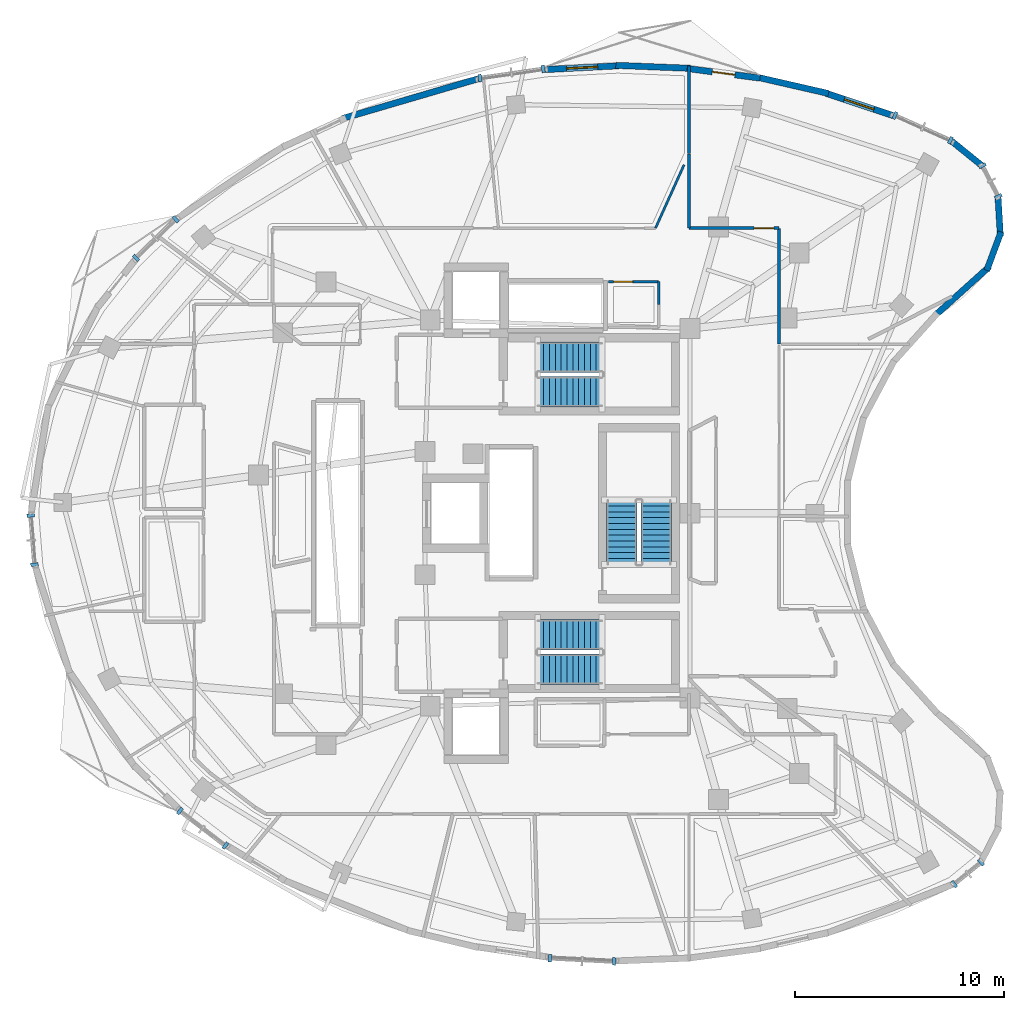
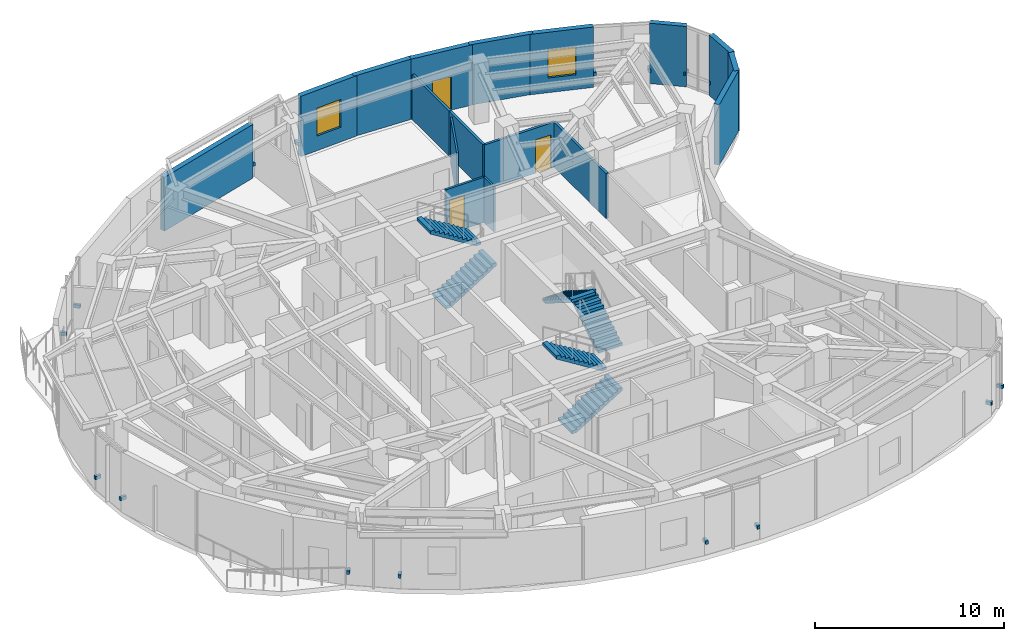
# One storey, part 11 of 14: 17 walls, 16 discrete accessories, 6 stair flights, 3 doors, 2 windows, 5 openings, 3 elements without a shape of their own.
"""IFC4 building model written with IfcOpenShell, lengths in metres."""

from ifc_helpers import new_model, si_unit, direction, frame, frame_2d, origin, origin_2d, place, context, subcontext, project, spatial, polyline, rectangle, outline, extrude, material, layer, layer_set, type_object, element, fill, aggregate, save


model = new_model("IFC4")

# Units and contexts
model_context = context("Model", 3, precision=1e-05, world=origin(), true_north=direction((0.0, 1.0)))
body_context = subcontext(model_context, "Body", "Model", "MODEL_VIEW")
ifc_project = project(units=[si_unit("LENGTHUNIT", "METRE"), si_unit("AREAUNIT", "SQUARE_METRE"), si_unit("VOLUMEUNIT", "CUBIC_METRE"), si_unit("PLANEANGLEUNIT", "RADIAN"), si_unit("MASSUNIT", "GRAM", prefix="KILO")], contexts=[model_context])

# Site, building, storey
site_placement = place(None, origin())
site = spatial("IfcSite", under=ifc_project, at=site_placement, CompositionType="ELEMENT")
building_placement = place(site_placement, origin())
building = spatial("IfcBuilding", under=site, at=building_placement, Name="Korentha Bioscience Tower", CompositionType="ELEMENT")
storey_placement = place(building_placement, frame((0.0, 0.0, 252.0)))
storey = spatial("IfcBuildingStorey", under=building, at=storey_placement, Name="L58", CompositionType="ELEMENT", Elevation=252.0)

# Wall, opening, door
ifc_material_1 = material(Name="Double-Stud Acoustic Gypsum", Category="gypsum")
ifc_layer_1 = layer(ifc_material_1, 0.14990234375, Name="Double-Stud Acoustic Gypsum")
ifc_layer_set_1 = layer_set([ifc_layer_1], Name="Double-Stud Acoustic Gypsum (IW-L150)")
wall_type_1 = type_object("IfcWallType", Name="Acoustic Laboratory Partition Wall 150", PredefinedType="PARTITIONING", material=ifc_layer_set_1)
wall_1_placement = place(storey_placement, frame((41.800048828125, 40.659912109375, 0.0), z_axis=(0.0, 0.0, 1.0), x_axis=(-1.0, 0.0, 0.0)))
wall_1 = element("IfcWall", 1, at=wall_1_placement, inside=storey, type_object=wall_type_1, Name="L58 Senior Scientist Corner Office 16 Entrance Wall", PredefinedType="PARTITIONING", context=body_context, shape_type="SweptSolid", body=[
    extrude(rectangle(XDim=4.298095703125, YDim=0.14990234375, at=frame_2d((2.14892578125, 0.0))), origin(), (0.0, 0.0, 1.0), 2.909912109375),
])
opening_1_placement = place(wall_1_placement, frame((0.239990234375, 0.0, 0.0)))
opening_1 = element("IfcOpeningElement", 2, at=opening_1_placement, cuts=wall_1, Name="Opening ID-10R", PredefinedType="OPENING", context=body_context, shape_type="SweptSolid", body=[
    extrude(rectangle(XDim=0.949951171875, YDim=2.14990234375, at=frame_2d((0.47509765625, 1.074951171875))), frame((0.0, 0.08984375, 0.0), z_axis=(0.0, -1.0, 0.0), x_axis=(1.0, 0.0, 0.0)), (0.0, 0.0, 1.0), 0.1796875),
])
ifc_material_2 = material(Name="Phenolic Laminate Timber Core", Category="wood")
door_type_1 = type_object("IfcDoorType", Name="Laboratory Single Leaf Door 950x2150 Right", OperationType="SINGLE_SWING_RIGHT", PredefinedType="DOOR", material=ifc_material_2)
door_1_placement = place(opening_1_placement, origin())
door_1 = element("IfcDoor", 3, at=door_1_placement, inside=storey, type_object=door_type_1, Name="L58 Senior Scientist Corner Office 16 Door", OperationType="SINGLE_SWING_RIGHT", OverallHeight=2.14990234375, OverallWidth=0.949951171875, PredefinedType="DOOR", context=body_context, shape_type="SweptSolid", body=[
    extrude(rectangle(XDim=0.949951171875, YDim=2.14990234375, at=frame_2d((0.47509765625, 1.074951171875))), frame((0.0, 0.02490234375, 0.0), z_axis=(0.0, -1.0, 0.0), x_axis=(1.0, 0.0, 0.0)), (0.0, 0.0, 1.0), 0.050048828125),
])
fill(opening_1, door_1)

# Walls
wall_2_placement = place(storey_placement, frame((37.501953125, 44.22900390625, 0.0), z_axis=(0.0, 0.0, 1.0), x_axis=(0.0, 1.0, 0.0)))
element("IfcWall", 4, at=wall_2_placement, inside=storey, type_object=wall_type_1, Name="L58 Interior Partition 087", PredefinedType="PARTITIONING", context=body_context, shape_type="SweptSolid", body=[
    extrude(rectangle(XDim=4.204345703125, YDim=0.14990234375, at=frame_2d((2.10205078125, 0.0))), origin(), (0.0, 0.0, 1.0), 2.909912109375),
])
wall_3_placement = place(storey_placement, frame((41.81005859375, 35.10205078125, 0.0), z_axis=(0.0, 0.0, 1.0), x_axis=(0.0, 1.0, 0.0)))
element("IfcWall", 5, at=wall_3_placement, inside=storey, type_object=wall_type_1, Name="L58 Interior Partition 089", PredefinedType="PARTITIONING", context=body_context, shape_type="SweptSolid", body=[
    extrude(rectangle(XDim=5.5478515625, YDim=0.14990234375, at=frame_2d((2.77392578125, 0.0))), origin(), (0.0, 0.0, 1.0), 2.909912109375),
])
wall_4_placement = place(storey_placement, frame((37.501953125, 40.659912109375, 0.0), z_axis=(0.0, 0.0, 1.0), x_axis=(0.0, 1.0, 0.0)))
element("IfcWall", 6, at=wall_4_placement, inside=storey, type_object=wall_type_1, Name="L58 Interior Partition 090", PredefinedType="PARTITIONING", context=body_context, shape_type="SweptSolid", body=[
    extrude(rectangle(XDim=3.55908203125, YDim=0.14990234375, at=frame_2d((1.779541015625, 0.0))), origin(), (0.0, 0.0, 1.0), 2.909912109375),
])
ifc_material_3 = material(Name="Fire-Rated Framed Glass", Category="glass")
ifc_layer_2 = layer(ifc_material_3, 0.110107421875, Name="Fire-Rated Framed Glass")
ifc_layer_set_2 = layer_set([ifc_layer_2], Name="Fire-Rated Framed Glass (IW-G110)")
wall_type_2 = type_object("IfcWallType", Name="Demountable Glazed Office Partition 110", PredefinedType="MOVABLE", material=ifc_layer_set_2)
wall_5_placement = place(storey_placement, frame((37.261962890625, 43.697265625, 0.0), z_axis=(0.0, 0.0, 1.0), x_axis=(-0.411494466198, -0.91141225814, 0.0)))
element("IfcWall", 7, at=wall_5_placement, inside=storey, type_object=wall_type_2, Name="L58 Interior Partition 091", PredefinedType="MOVABLE", context=body_context, shape_type="SweptSolid", body=[
    extrude(rectangle(XDim=3.33251953125, YDim=0.110107421875, at=frame_2d((1.666259765625, 0.0))), origin(), (0.0, 0.0, 1.0), 2.909912109375),
])

# Wall, opening, window
ifc_material_4 = material(Name="Honed Limestone Precast Concrete C40", Category="masonry")
ifc_layer_3 = layer(ifc_material_4, 0.300048828125, Name="Honed Limestone Precast Concrete C40")
ifc_layer_set_3 = layer_set([ifc_layer_3], Name="Honed Limestone Precast Concrete C40 (EW-ST300)")
wall_type_3 = type_object("IfcWallType", Name="Honed Limestone Cavity Spandrel Wall 300", PredefinedType="STANDARD", material=ifc_layer_set_3)
wall_6_placement = place(storey_placement, frame((47.2705078125, 46.050537109375, 0.0), z_axis=(0.0, 0.0, 1.0), x_axis=(-0.94891855173, 0.315521127948, 0.0)))
wall_6 = element("IfcWall", 8, at=wall_6_placement, inside=storey, type_object=wall_type_3, Name="L58 Honed Limestone Spandrel Wall 02", PredefinedType="STANDARD", context=body_context, shape_type="SweptSolid", body=[
    extrude(rectangle(XDim=3.4208984375, YDim=0.300048828125, at=frame_2d((1.71044921875, 0.0))), origin(), (0.0, 0.0, 1.0), 3.89990234375),
])
opening_2_placement = place(wall_6_placement, frame((0.96044921875, 0.0, 0.949951171875)))
opening_2 = element("IfcOpeningElement", 9, at=opening_2_placement, cuts=wall_6, Name="Opening WN-02", PredefinedType="OPENING", context=body_context, shape_type="SweptSolid", body=[
    extrude(rectangle(XDim=1.5, YDim=1.800048828125, at=frame_2d((0.75, 0.89990234375))), frame((0.0, 0.1650390625, 0.0), z_axis=(0.0, -1.0, 0.0), x_axis=(1.0, 0.0, 0.0)), (0.0, 0.0, 1.0), 0.329833984375),
])
ifc_material_5 = material(Name="Thermally Broken Aluminium Triple Glazing", Category="aluminium")
window_type = type_object("IfcWindowType", Name="Acoustic Operable Office Window 1500x1800", PartitioningType="DOUBLE_PANEL_VERTICAL", PredefinedType="WINDOW", material=ifc_material_5)
window_1_placement = place(opening_2_placement, origin())
window_1 = element("IfcWindow", 10, at=window_1_placement, inside=storey, type_object=window_type, Name="L58 Facade Window 02", OverallHeight=1.800048828125, OverallWidth=1.5, PartitioningType="DOUBLE_PANEL_VERTICAL", PredefinedType="WINDOW", context=body_context, shape_type="SweptSolid", body=[
    extrude(rectangle(XDim=1.5, YDim=1.800048828125, at=frame_2d((0.75, 0.89990234375))), frame((0.0, 0.030029296875, 0.0), z_axis=(0.0, -1.0, 0.0), x_axis=(1.0, 0.0, 0.0)), (0.0, 0.0, 1.0), 0.06005859375),
])
fill(opening_2, window_1)

# Wall, opening, door
wall_7_placement = place(storey_placement, frame((40.89599609375, 47.845458984375, 0.0), z_axis=(0.0, 0.0, 1.0), x_axis=(-0.991363126073, 0.131145538481, 0.0)))
wall_7 = element("IfcWall", 11, at=wall_7_placement, inside=storey, type_object=wall_type_3, Name="L58 Balcony Threshold Wall 01", PredefinedType="STANDARD", context=body_context, shape_type="SweptSolid", body=[
    extrude(rectangle(XDim=3.518310546875, YDim=0.300048828125, at=frame_2d((1.75927734375, 0.0))), origin(), (0.0, 0.0, 1.0), 3.89990234375),
])
opening_3_placement = place(wall_7_placement, frame((1.209228515625, 0.0, 0.0)))
opening_3 = element("IfcOpeningElement", 12, at=opening_3_placement, cuts=wall_7, Name="Opening BD-11L", PredefinedType="OPENING", context=body_context, shape_type="SweptSolid", body=[
    extrude(rectangle(XDim=1.10009765625, YDim=2.14990234375, at=frame_2d((0.550048828125, 1.074951171875))), frame((0.0, 0.1650390625, 0.0), z_axis=(0.0, -1.0, 0.0), x_axis=(1.0, 0.0, 0.0)), (0.0, 0.0, 1.0), 0.329833984375),
])
ifc_material_6 = material(Name="Thermally Broken Glazed Aluminium", Category="aluminium")
door_type_2 = type_object("IfcDoorType", Name="Balcony Terrace Glazed Door 1100x2150 Left", OperationType="SINGLE_SWING_LEFT", PredefinedType="DOOR", material=ifc_material_6)
door_2_placement = place(opening_3_placement, origin())
door_2 = element("IfcDoor", 13, at=door_2_placement, inside=storey, type_object=door_type_2, Name="L58 Balcony Access Door 01", OperationType="SINGLE_SWING_LEFT", OverallHeight=2.14990234375, OverallWidth=1.10009765625, PredefinedType="DOOR", context=body_context, shape_type="SweptSolid", body=[
    extrude(rectangle(XDim=1.10009765625, YDim=2.14990234375, at=frame_2d((0.550048828125, 1.074951171875))), frame((0.0, 0.02490234375, 0.0), z_axis=(0.0, -1.0, 0.0), x_axis=(1.0, 0.0, 0.0)), (0.0, 0.0, 1.0), 0.050048828125),
])
fill(opening_3, door_2)

# Wall, opening, window
wall_8_placement = place(storey_placement, frame((34.141357421875, 48.436767578125, 0.0), z_axis=(0.0, 0.0, 1.0), x_axis=(-0.998669402185, -0.051569614505, 0.0)))
wall_8 = element("IfcWall", 14, at=wall_8_placement, inside=storey, type_object=wall_type_3, Name="L58 Honed Limestone Spandrel Wall 06", PredefinedType="STANDARD", context=body_context, shape_type="SweptSolid", body=[
    extrude(rectangle(XDim=3.536376953125, YDim=0.300048828125, at=frame_2d((1.76806640625, 0.0))), origin(), (0.0, 0.0, 1.0), 3.89990234375),
])
opening_4_placement = place(wall_8_placement, frame((1.018310546875, 0.0, 0.949951171875)))
opening_4 = element("IfcOpeningElement", 15, at=opening_4_placement, cuts=wall_8, Name="Opening WN-02", PredefinedType="OPENING", context=body_context, shape_type="SweptSolid", body=[
    extrude(rectangle(XDim=1.5, YDim=1.800048828125, at=frame_2d((0.75, 0.89990234375))), frame((0.0, 0.1650390625, 0.0), z_axis=(0.0, -1.0, 0.0), x_axis=(1.0, 0.0, 0.0)), (0.0, 0.0, 1.0), 0.329833984375),
])
window_2_placement = place(opening_4_placement, origin())
window_2 = element("IfcWindow", 16, at=window_2_placement, inside=storey, type_object=window_type, Name="L58 Facade Window 06", OverallHeight=1.800048828125, OverallWidth=1.5, PartitioningType="DOUBLE_PANEL_VERTICAL", PredefinedType="WINDOW", context=body_context, shape_type="SweptSolid", body=[
    extrude(rectangle(XDim=1.5, YDim=1.800048828125, at=frame_2d((0.75, 0.89990234375))), frame((0.0, 0.030029296875, 0.0), z_axis=(0.0, -1.0, 0.0), x_axis=(1.0, 0.0, 0.0)), (0.0, 0.0, 1.0), 0.06005859375),
])
fill(opening_4, window_2)

# Walls
wall_9_placement = place(storey_placement, frame((44.1787109375, 47.108642578125, 0.0), z_axis=(0.0, 0.0, 1.0), x_axis=(-0.974823186624, 0.222979269932, 0.0)))
element("IfcWall", 17, at=wall_9_placement, inside=storey, type_object=wall_type_3, Name="L58 Limestone Perimeter Closure Wall 03", PredefinedType="STANDARD", context=body_context, shape_type="SweptSolid", body=[
    extrude(rectangle(XDim=3.51904296875, YDim=0.300048828125, at=frame_2d((1.759521484375, 0.0))), origin(), (0.0, 0.0, 1.0), 3.89990234375),
])
wall_10_placement = place(storey_placement, frame((37.56298828125, 48.314453125, 0.0), z_axis=(0.0, 0.0, 1.0), x_axis=(-0.999208461954, 0.039780014567, 0.0)))
element("IfcWall", 18, at=wall_10_placement, inside=storey, type_object=wall_type_3, Name="L58 Limestone Perimeter Closure Wall 05", PredefinedType="STANDARD", context=body_context, shape_type="SweptSolid", body=[
    extrude(rectangle(XDim=3.578125, YDim=0.300048828125, at=frame_2d((1.7890625, 0.0))), origin(), (0.0, 0.0, 1.0), 3.89990234375),
])
wall_11_placement = place(storey_placement, frame((27.417724609375, 47.8203125, 0.0), z_axis=(0.0, 0.0, 1.0), x_axis=(-0.959675502853, -0.281110172749, 0.0)))
element("IfcWall", 19, at=wall_11_placement, inside=storey, type_object=wall_type_3, Name="L58 Limestone Perimeter Closure Wall 08", PredefinedType="STANDARD", context=body_context, shape_type="SweptSolid", body=[
    extrude(rectangle(XDim=6.796875, YDim=0.300048828125, at=frame_2d((3.3984375, 0.0))), origin(), (0.0, 0.0, 1.0), 3.469970703125),
])
wall_12_placement = place(storey_placement, frame((49.299560546875, 36.48388671875, 0.0), z_axis=(0.0, 0.0, 1.0), x_axis=(0.742603888691, 0.669730889612, 0.0)))
element("IfcWall", 20, at=wall_12_placement, inside=storey, type_object=wall_type_3, Name="L58 Limestone Perimeter Closure Wall 57", PredefinedType="STANDARD", context=body_context, shape_type="SweptSolid", body=[
    extrude(rectangle(XDim=3.484130859375, YDim=0.300048828125, at=frame_2d((1.7421875, 0.0))), origin(), (0.0, 0.0, 1.0), 3.89990234375),
])
for number, where, z_axis, x_axis, name in (
    (21, (51.76220703125, 38.633544921875, 0.0), (0.0, 0.0, 1.0), (0.347476023118, 0.9376888681, 0.0), "L58 Limestone Perimeter Closure Wall 59"),
    (22, (52.414306640625, 40.26611328125, 0.0), (0.0, 0.0, 1.0), (-0.060191547909, 0.998186845015, 0.0), "L58 Limestone Perimeter Closure Wall 60"),
):
    element("IfcWall", number, at=place(storey_placement, frame(where, z_axis=z_axis, x_axis=x_axis)), inside=storey, type_object=wall_type_3, Name=name, PredefinedType="STANDARD", context=body_context, shape_type="SweptSolid", body=[
        extrude(rectangle(XDim=1.96728515625, YDim=0.300048828125, at=frame_2d((0.983642578125, 0.0))), origin(), (0.0, 0.0, 1.0), 3.89990234375),
    ])
wall_13_placement = place(storey_placement, frame((51.587890625, 43.606201171875, 0.0), z_axis=(0.0, 0.0, 1.0), x_axis=(-0.777308452477, 0.629119678366, 0.0)))
element("IfcWall", 23, at=wall_13_placement, inside=storey, type_object=wall_type_3, Name="L58 Limestone Perimeter Closure Wall 62", PredefinedType="STANDARD", context=body_context, shape_type="SweptSolid", body=[
    extrude(rectangle(XDim=1.967041015625, YDim=0.300048828125, at=frame_2d((0.9833984375, 0.0))), origin(), (0.0, 0.0, 1.0), 3.89990234375),
])

# Wall, opening, door
ifc_material_7 = material(Name="Cement-Board Steel Stud", Category="steel")
ifc_layer_4 = layer(ifc_material_7, 0.1298828125, Name="Cement-Board Steel Stud")
ifc_layer_set_4 = layer_set([ifc_layer_4], Name="Cement-Board Steel Stud (IW-W130)")
wall_type_4 = type_object("IfcWallType", Name="Wet-Area Moisture-Resistant Partition 130", PredefinedType="PARTITIONING", material=ifc_layer_set_4)
wall_14_placement = place(storey_placement, frame((33.64990234375, 38.090087890625, 0.0), z_axis=(0.0, 0.0, 1.0), x_axis=(1.0, 0.0, 0.0)))
wall_14 = element("IfcWall", 24, at=wall_14_placement, inside=storey, type_object=wall_type_4, Name="L58 Accessible Staff WC Entrance Wall", PredefinedType="PARTITIONING", context=body_context, shape_type="SweptSolid", body=[
    extrude(rectangle(XDim=2.39013671875, YDim=0.1298828125, at=frame_2d((1.195068359375, 0.0))), origin(), (0.0, 0.0, 1.0), 2.909912109375),
])
opening_5_placement = place(wall_14_placement, frame((0.239990234375, 0.0, 0.0)))
opening_5 = element("IfcOpeningElement", 25, at=opening_5_placement, cuts=wall_14, Name="Opening ID-09R", PredefinedType="OPENING", context=body_context, shape_type="SweptSolid", body=[
    extrude(rectangle(XDim=0.89990234375, YDim=2.14990234375, at=frame_2d((0.449951171875, 1.074951171875))), frame((0.0, 0.079833984375, 0.0), z_axis=(0.0, -1.0, 0.0), x_axis=(1.0, 0.0, 0.0)), (0.0, 0.0, 1.0), 0.15966796875),
])
ifc_material_8 = material(Name="Moisture-Resistant HPL Leaf", Category="wood")
door_type_3 = type_object("IfcDoorType", Name="Restroom & Accessible WC Door 900x2150 Right", OperationType="SINGLE_SWING_RIGHT", PredefinedType="DOOR", material=ifc_material_8)
door_3_placement = place(opening_5_placement, origin())
door_3 = element("IfcDoor", 26, at=door_3_placement, inside=storey, type_object=door_type_3, Name="L58 Accessible Staff WC Door", OperationType="SINGLE_SWING_RIGHT", OverallHeight=2.14990234375, OverallWidth=0.89990234375, PredefinedType="DOOR", context=body_context, shape_type="SweptSolid", body=[
    extrude(rectangle(XDim=0.89990234375, YDim=2.14990234375, at=frame_2d((0.449951171875, 1.074951171875))), frame((0.0, 0.02490234375, 0.0), z_axis=(0.0, -1.0, 0.0), x_axis=(1.0, 0.0, 0.0)), (0.0, 0.0, 1.0), 0.050048828125),
])
fill(opening_5, door_3)

# Wall
wall_15_placement = place(storey_placement, frame((36.0400390625, 38.090087890625, 0.0), z_axis=(0.0, 0.0, 1.0), x_axis=(0.0, -1.0, 0.0)))
element("IfcWall", 27, at=wall_15_placement, inside=storey, type_object=wall_type_4, Name="L58 Interior Partition 034", PredefinedType="PARTITIONING", context=body_context, shape_type="SweptSolid", body=[
    extrude(rectangle(XDim=1.090087890625, YDim=0.1298828125, at=frame_2d((0.544921875, 0.0))), origin(), (0.0, 0.0, 1.0), 2.909912109375),
])

# Stair, stair flights
ifc_material_9 = material(Name="Precast Concrete C50", Category="concrete")
stair_type = type_object("IfcStairType", Name="Core Exit Dog-Leg Stair 1450", PredefinedType="HALF_TURN_STAIR", material=ifc_material_9)
stair_1_placement = place(storey_placement, origin())
stair_1 = element("IfcStair", 28, at=stair_1_placement, inside=storey, type_object=stair_type, Name="L58 Tower North Pressurized Exit Stair ST-1", PredefinedType="HALF_TURN_STAIR")
stair_flight_type = type_object("IfcStairFlightType", Name="Core Exit Dog-Leg Stair 1450 Flight", PredefinedType="STRAIGHT", material=ifc_material_9)
stair_flight_1_placement = place(storey_placement, frame((30.25, 32.824951171875, 0.0), z_axis=(0.0, 0.0, 1.0), x_axis=(1.0, 0.0, 0.0)))
stair_flight_1 = element("IfcStairFlight", 29, at=stair_flight_1_placement, type_object=stair_flight_type, Name="ST-1 flight 1", NumberOfRisers=12, NumberOfTreads=11, PredefinedType="STRAIGHT", RiserHeight=0.175, TreadLength=0.28, context=body_context, shape_type="SweptSolid", body=[
    extrude(outline(polyline([(0.0, 0.0), (0.0, 0.175048828125), (0.280029296875, 0.175048828125), (0.280029296875, 0.35009765625), (0.56005859375, 0.35009765625), (0.56005859375, 0.52490234375), (0.840087890625, 0.52490234375), (0.840087890625, 0.699951171875), (1.1201171875, 0.699951171875), (1.1201171875, 0.875), (1.39990234375, 0.875), (1.39990234375, 1.050048828125), (1.679931640625, 1.050048828125), (1.679931640625, 1.22509765625), (1.9599609375, 1.22509765625), (1.9599609375, 1.39990234375), (2.239990234375, 1.39990234375), (2.239990234375, 1.574951171875), (2.52001953125, 1.574951171875), (2.52001953125, 1.75), (2.800048828125, 1.75), (2.800048828125, 1.925048828125), (3.080078125, 1.925048828125), (3.080078125, 2.10009765625), (3.080078125, 1.736328125), (0.3017578125, 0.0), (0.0, 0.0)])), frame((0.0, 0.72509765625, 0.0), z_axis=(0.0, -1.0, 0.0), x_axis=(1.0, 0.0, 0.0)), (0.0, 0.0, 1.0), 1.449951171875),
])
stair_flight_2_placement = place(storey_placement, frame((33.330078125, 34.47509765625, 2.10009765625), z_axis=(0.0, 0.0, 1.0), x_axis=(-1.0, 0.0, 0.0)))
stair_flight_2 = element("IfcStairFlight", 30, at=stair_flight_2_placement, type_object=stair_flight_type, Name="ST-1 flight 2", NumberOfRisers=12, NumberOfTreads=11, PredefinedType="STRAIGHT", RiserHeight=0.175, TreadLength=0.28, context=body_context, shape_type="SweptSolid", body=[
    extrude(outline(polyline([(0.0, 0.0), (0.0, 0.175048828125), (0.280029296875, 0.175048828125), (0.280029296875, 0.35009765625), (0.56005859375, 0.35009765625), (0.56005859375, 0.52490234375), (0.840087890625, 0.52490234375), (0.840087890625, 0.699951171875), (1.1201171875, 0.699951171875), (1.1201171875, 0.875), (1.39990234375, 0.875), (1.39990234375, 1.050048828125), (1.679931640625, 1.050048828125), (1.679931640625, 1.22509765625), (1.9599609375, 1.22509765625), (1.9599609375, 1.39990234375), (2.239990234375, 1.39990234375), (2.239990234375, 1.574951171875), (2.52001953125, 1.574951171875), (2.52001953125, 1.75), (2.800048828125, 1.75), (2.800048828125, 1.925048828125), (3.080078125, 1.925048828125), (3.080078125, 2.10009765625), (3.080078125, 1.736328125), (0.3017578125, 0.0), (0.0, 0.0)])), frame((0.0, 0.72509765625, 0.0), z_axis=(0.0, -1.0, 0.0), x_axis=(1.0, 0.0, 0.0)), (0.0, 0.0, 1.0), 1.449951171875),
])
aggregate(stair_1, [stair_flight_1, stair_flight_2])

stair_2_placement = place(storey_placement, origin())
stair_2 = element("IfcStair", 31, at=stair_2_placement, inside=storey, type_object=stair_type, Name="L58 Tower South Pressurized Exit Stair ST-2", PredefinedType="HALF_TURN_STAIR")
stair_flight_3_placement = place(storey_placement, frame((30.25, 19.52490234375, 0.0), z_axis=(0.0, 0.0, 1.0), x_axis=(1.0, 0.0, 0.0)))
stair_flight_3 = element("IfcStairFlight", 32, at=stair_flight_3_placement, type_object=stair_flight_type, Name="ST-2 flight 1", NumberOfRisers=12, NumberOfTreads=11, PredefinedType="STRAIGHT", RiserHeight=0.175, TreadLength=0.28, context=body_context, shape_type="SweptSolid", body=[
    extrude(outline(polyline([(0.0, 0.0), (0.0, 0.175048828125), (0.280029296875, 0.175048828125), (0.280029296875, 0.35009765625), (0.56005859375, 0.35009765625), (0.56005859375, 0.52490234375), (0.840087890625, 0.52490234375), (0.840087890625, 0.699951171875), (1.1201171875, 0.699951171875), (1.1201171875, 0.875), (1.39990234375, 0.875), (1.39990234375, 1.050048828125), (1.679931640625, 1.050048828125), (1.679931640625, 1.22509765625), (1.9599609375, 1.22509765625), (1.9599609375, 1.39990234375), (2.239990234375, 1.39990234375), (2.239990234375, 1.574951171875), (2.52001953125, 1.574951171875), (2.52001953125, 1.75), (2.800048828125, 1.75), (2.800048828125, 1.925048828125), (3.080078125, 1.925048828125), (3.080078125, 2.10009765625), (3.080078125, 1.736328125), (0.3017578125, 0.0), (0.0, 0.0)])), frame((0.0, 0.72509765625, 0.0), z_axis=(0.0, -1.0, 0.0), x_axis=(1.0, 0.0, 0.0)), (0.0, 0.0, 1.0), 1.449951171875),
])
stair_flight_4_placement = place(storey_placement, frame((33.330078125, 21.175048828125, 2.10009765625), z_axis=(0.0, 0.0, 1.0), x_axis=(-1.0, 0.0, 0.0)))
stair_flight_4 = element("IfcStairFlight", 33, at=stair_flight_4_placement, type_object=stair_flight_type, Name="ST-2 flight 2", NumberOfRisers=12, NumberOfTreads=11, PredefinedType="STRAIGHT", RiserHeight=0.175, TreadLength=0.28, context=body_context, shape_type="SweptSolid", body=[
    extrude(outline(polyline([(0.0, 0.0), (0.0, 0.175048828125), (0.280029296875, 0.175048828125), (0.280029296875, 0.35009765625), (0.56005859375, 0.35009765625), (0.56005859375, 0.52490234375), (0.840087890625, 0.52490234375), (0.840087890625, 0.699951171875), (1.1201171875, 0.699951171875), (1.1201171875, 0.875), (1.39990234375, 0.875), (1.39990234375, 1.050048828125), (1.679931640625, 1.050048828125), (1.679931640625, 1.22509765625), (1.9599609375, 1.22509765625), (1.9599609375, 1.39990234375), (2.239990234375, 1.39990234375), (2.239990234375, 1.574951171875), (2.52001953125, 1.574951171875), (2.52001953125, 1.75), (2.800048828125, 1.75), (2.800048828125, 1.925048828125), (3.080078125, 1.925048828125), (3.080078125, 2.10009765625), (3.080078125, 1.736328125), (0.3017578125, 0.0), (0.0, 0.0)])), frame((0.0, 0.72509765625, 0.0), z_axis=(0.0, -1.0, 0.0), x_axis=(1.0, 0.0, 0.0)), (0.0, 0.0, 1.0), 1.449951171875),
])
aggregate(stair_2, [stair_flight_3, stair_flight_4])

stair_3_placement = place(storey_placement, origin())
stair_3 = element("IfcStair", 34, at=stair_3_placement, inside=storey, type_object=stair_type, Name="L58 Tower Central Pressurized Exit Stair ST-3", PredefinedType="HALF_TURN_STAIR")
stair_flight_5_placement = place(storey_placement, frame((35.925048828125, 24.550048828125, 0.0), z_axis=(0.0, 0.0, 1.0), x_axis=(0.0, 1.0, 0.0)))
stair_flight_5 = element("IfcStairFlight", 35, at=stair_flight_5_placement, type_object=stair_flight_type, Name="ST-3 flight 1", NumberOfRisers=12, NumberOfTreads=11, PredefinedType="STRAIGHT", RiserHeight=0.175, TreadLength=0.28, context=body_context, shape_type="SweptSolid", body=[
    extrude(outline(polyline([(0.0, 0.0), (0.0, 0.175048828125), (0.280029296875, 0.175048828125), (0.280029296875, 0.35009765625), (0.56005859375, 0.35009765625), (0.56005859375, 0.52490234375), (0.840087890625, 0.52490234375), (0.840087890625, 0.699951171875), (1.1201171875, 0.699951171875), (1.1201171875, 0.875), (1.39990234375, 0.875), (1.39990234375, 1.050048828125), (1.679931640625, 1.050048828125), (1.679931640625, 1.22509765625), (1.9599609375, 1.22509765625), (1.9599609375, 1.39990234375), (2.239990234375, 1.39990234375), (2.239990234375, 1.574951171875), (2.52001953125, 1.574951171875), (2.52001953125, 1.75), (2.800048828125, 1.75), (2.800048828125, 1.925048828125), (3.080078125, 1.925048828125), (3.080078125, 2.10009765625), (3.080078125, 1.736328125), (0.3017578125, 0.0), (0.0, 0.0)])), frame((0.0, 0.72509765625, 0.0), z_axis=(0.0, -1.0, 0.0), x_axis=(1.0, 0.0, 0.0)), (0.0, 0.0, 1.0), 1.449951171875),
])
stair_flight_6_placement = place(storey_placement, frame((34.27490234375, 27.6298828125, 2.10009765625), z_axis=(0.0, 0.0, 1.0), x_axis=(0.0, -1.0, 0.0)))
stair_flight_6 = element("IfcStairFlight", 36, at=stair_flight_6_placement, type_object=stair_flight_type, Name="ST-3 flight 2", NumberOfRisers=12, NumberOfTreads=11, PredefinedType="STRAIGHT", RiserHeight=0.175, TreadLength=0.28, context=body_context, shape_type="SweptSolid", body=[
    extrude(outline(polyline([(0.0, 0.0), (0.0, 0.175048828125), (0.280029296875, 0.175048828125), (0.280029296875, 0.35009765625), (0.56005859375, 0.35009765625), (0.56005859375, 0.52490234375), (0.840087890625, 0.52490234375), (0.840087890625, 0.699951171875), (1.1201171875, 0.699951171875), (1.1201171875, 0.875), (1.39990234375, 0.875), (1.39990234375, 1.050048828125), (1.679931640625, 1.050048828125), (1.679931640625, 1.22509765625), (1.9599609375, 1.22509765625), (1.9599609375, 1.39990234375), (2.239990234375, 1.39990234375), (2.239990234375, 1.574951171875), (2.52001953125, 1.574951171875), (2.52001953125, 1.75), (2.800048828125, 1.75), (2.800048828125, 1.925048828125), (3.080078125, 1.925048828125), (3.080078125, 2.10009765625), (3.080078125, 1.736328125), (0.3017578125, 0.0), (0.0, 0.0)])), frame((0.0, 0.72509765625, 0.0), z_axis=(0.0, -1.0, 0.0), x_axis=(1.0, 0.0, 0.0)), (0.0, 0.0, 1.0), 1.449951171875),
])
aggregate(stair_3, [stair_flight_5, stair_flight_6])

# Discrete accessories
ifc_material_10 = material(Name="Stainless Steel 316", Category="steel")
discrete_accessory_type = type_object("IfcDiscreteAccessoryType", Name="Stainless Steel Solar-Screen Outrigger Bracket", PredefinedType="BRACKET", material=ifc_material_10)
for number, where, z_axis, x_axis, name in (
    (37, (50.019775390625, 44.866455078125, 0.740234375), (0.0, 0.0, 1.0), (-0.912621774183, 0.408804962405, 0.0), "CW-L58-01 Solar-Screen Support Bracket 1"),
    (38, (47.36376953125, 46.05615234375, 0.740234375), (0.0, 0.0, 1.0), (-0.912621774183, 0.408804962405, 0.0), "CW-L58-01 Solar-Screen Support Bracket 2"),
    (39, (30.51025390625, 48.284423828125, 0.740234375), (0.0, 0.0, 1.0), (-0.989728990307, -0.142956377076, 0.0), "CW-L58-07 Solar-Screen Support Bracket 1"),
    (40, (27.484130859375, 47.847412109375, 0.740234375), (0.0, 0.0, 1.0), (-0.989728990307, -0.142956377076, 0.0), "CW-L58-07 Solar-Screen Support Bracket 2"),
    (41, (12.899169921875, 41.08447265625, 0.740234375), (0.0, 0.0, 1.0), (-0.715993919158, -0.698106516034, 0.0), "CW-L58-13 Solar-Screen Support Bracket 1"),
    (42, (11.00048828125, 39.233154296875, 0.740234375), (0.0, 0.0, 1.0), (-0.715993919158, -0.698106516034, 0.0), "CW-L58-13 Solar-Screen Support Bracket 2"),
    (43, (5.9521484375, 26.888427734375, 0.740234375), (0.0, 0.0, 1.0), (0.079117478884, -0.996865299093, 0.0), "CW-L58-19 Solar-Screen Support Bracket 1"),
    (44, (6.138671875, 24.538818359375, 0.740234375), (0.0, 0.0, 1.0), (0.079117478884, -0.996865299093, 0.0), "CW-L58-19 Solar-Screen Support Bracket 2"),
    (45, (13.106689453125, 12.73681640625, 0.740234375), (0.0, 0.0, 1.0), (0.794382455982, -0.607417906904, 0.0), "CW-L58-25 Solar-Screen Support Bracket 1"),
    (46, (15.2822265625, 11.072998046875, 0.740234375), (0.0, 0.0, 1.0), (0.794382455982, -0.607417906904, 0.0), "CW-L58-25 Solar-Screen Support Bracket 2"),
    (47, (30.83642578125, 5.683837890625, 0.740234375), (0.0, 0.0, 1.0), (0.998671032258, -0.051538037689, 0.0), "CW-L58-31 Solar-Screen Support Bracket 1"),
    (48, (33.9091796875, 5.525146484375, 0.740234375), (0.0, 0.0, 1.0), (0.998671032258, -0.051538037689, 0.0), "CW-L58-31 Solar-Screen Support Bracket 2"),
    (49, (50.197021484375, 9.2294921875, 0.740234375), (0.0, 0.0, 1.0), (0.777226359638, 0.629221094596, 0.0), "CW-L58-37 Solar-Screen Support Bracket 1"),
    (50, (51.487548828125, 10.2744140625, 0.740234375), (0.0, 0.0, 1.0), (0.777226359638, 0.629221094596, 0.0), "CW-L58-37 Solar-Screen Support Bracket 2"),
    (51, (52.30908203125, 42.173095703125, 0.740234375), (0.0, 0.0, 1.0), (-0.457569503198, 0.889173857996, 0.0), "CW-L58-61 Solar-Screen Support Bracket 1"),
    (52, (51.54931640625, 43.64990234375, 0.740234375), (0.0, 0.0, 1.0), (-0.457569503198, 0.889173857996, 0.0), "CW-L58-61 Solar-Screen Support Bracket 2"),
):
    element("IfcDiscreteAccessory", number, at=place(storey_placement, frame(where, z_axis=z_axis, x_axis=x_axis)), inside=storey, type_object=discrete_accessory_type, Name=name, PredefinedType="BRACKET", context=body_context, shape_type="SweptSolid", body=[
        extrude(rectangle(XDim=0.159912109375, YDim=0.360107421875, at=origin_2d()), origin(), (0.0, 0.0, 1.0), 0.219970703125),
    ])

save(model, "model.ifc")
